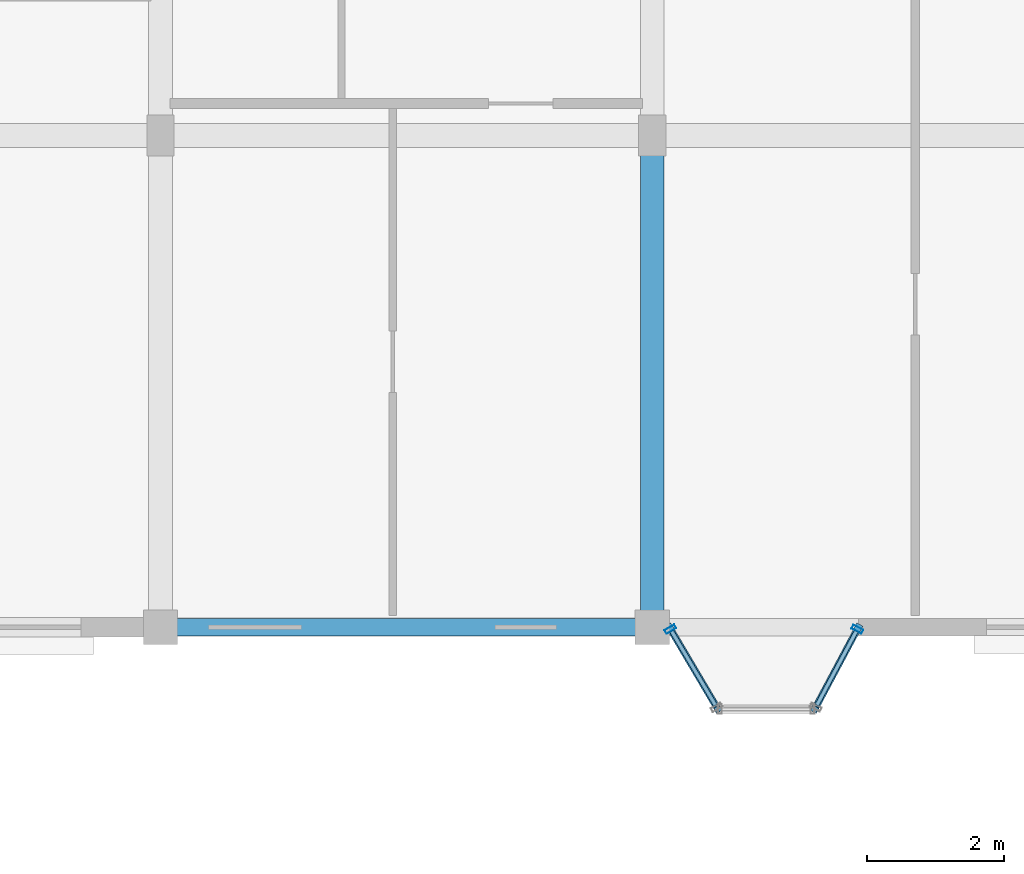
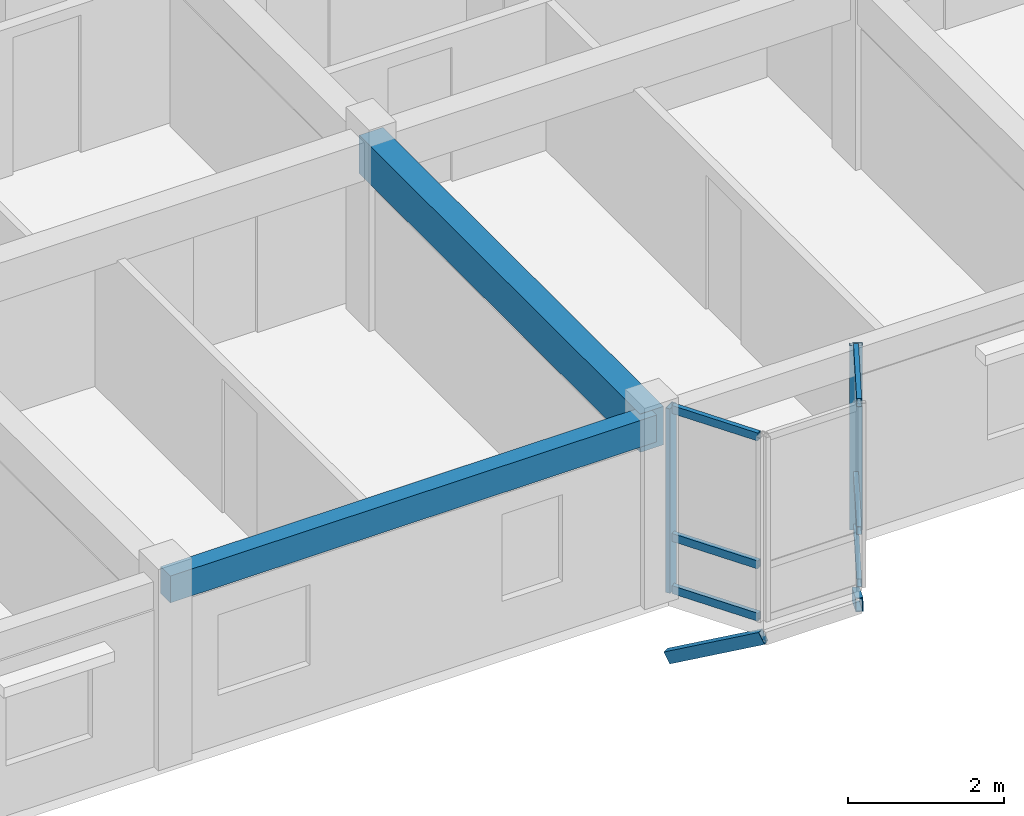
# One storey, part 36 of 70: 10 members, 2 beams, 2 elements without a shape of their own.
"""IFC4 building model written with IfcOpenShell, lengths in metres."""

from ifc_helpers import new_model, si_unit, direction, frame, origin, origin_2d, place, context, subcontext, project, spatial, rectangle, hollow_rectangle, extrude, material, layer, layer_set, material_profile, profile_set, type_object, element, aggregate, save


model = new_model("IFC4")

# Units and contexts
model_context = context("Model", 3, precision=1e-05, world=origin(), true_north=direction((0.0, 1.0)))
body_context = subcontext(model_context, "Body", "Model", "MODEL_VIEW")
ifc_project = project(units=[si_unit("LENGTHUNIT", "METRE"), si_unit("AREAUNIT", "SQUARE_METRE"), si_unit("VOLUMEUNIT", "CUBIC_METRE"), si_unit("PLANEANGLEUNIT", "RADIAN"), si_unit("MASSUNIT", "GRAM", prefix="KILO"), si_unit("THERMODYNAMICTEMPERATUREUNIT", "KELVIN"), si_unit("POWERUNIT", "WATT")], contexts=[model_context])

# Site, building, storey
site_placement = place(None, origin())
site = spatial("IfcSite", under=ifc_project, at=site_placement, CompositionType="ELEMENT")
building_placement = place(site_placement, origin())
building = spatial("IfcBuilding", under=site, at=building_placement, Name="Tavuni Mirador Residences", CompositionType="ELEMENT")
storey_placement = place(building_placement, frame((0.0, 0.0, 23.39990234375)))
storey = spatial("IfcBuildingStorey", under=building, at=storey_placement, Name="L07", CompositionType="ELEMENT", Elevation=23.39990234375)

# Beams
ifc_material_1 = material(Name="Precast concrete C40/50", Category="concrete")
ifc_material_profile_1 = material_profile(ifc_material_1, rectangle(XDim=0.35009765625, YDim=0.60009765625, at=origin_2d()), Name="PC 350x600", Category="concrete")
ifc_profile_set_1 = profile_set([ifc_material_profile_1], Name="Precast concrete C40/50")
beam_type_1 = type_object("IfcBeamType", Name="BT-B600", PredefinedType="BEAM", material=ifc_profile_set_1)
beam_1_placement = place(storey_placement, frame((46.800048828125, 144.0, 2.585205078125), z_axis=(0.0, 1.0, 0.0), x_axis=(-1.0, 0.0, 0.0)))
element("IfcBeam", 1, at=beam_1_placement, inside=storey, type_object=beam_type_1, Name="BMY-BLK-C-L07-05-00", PredefinedType="BEAM", context=body_context, shape_type="SweptSolid", body=[
    extrude(rectangle(XDim=0.35009765625, YDim=0.60009765625, at=origin_2d()), origin(), (0.0, 0.0, 1.0), 7.199951171875),
])
ifc_material_profile_2 = material_profile(ifc_material_1, rectangle(XDim=0.25, YDim=0.419921875, at=origin_2d()), Name="PC 250x420", Category="concrete")
ifc_profile_set_2 = profile_set([ifc_material_profile_2], Name="Precast concrete C40/50")
beam_type_2 = type_object("IfcBeamType", Name="BT-SP420", PredefinedType="SPANDREL", material=ifc_profile_set_2)
beam_2_placement = place(storey_placement, frame((39.60009765625, 144.0, 2.675048828125), z_axis=(1.0, 0.0, 0.0), x_axis=(0.0, 1.0, 0.0)))
element("IfcBeam", 2, at=beam_2_placement, inside=storey, type_object=beam_type_2, Name="BMX-BLK-C-L07-04-00", PredefinedType="SPANDREL", context=body_context, shape_type="SweptSolid", body=[
    extrude(rectangle(XDim=0.25, YDim=0.419921875, at=origin_2d()), origin(), (0.0, 0.0, 1.0), 7.199951171875),
])

# Curtain wall, member
ifc_material_2 = material(Name="Anodised aluminium", Category="aluminium")
ifc_layer_1 = layer(ifc_material_2, 0.14990234375, Name="Anodised aluminium", Category="aluminium")
ifc_layer_set_1 = layer_set([ifc_layer_1], Name="Anodised aluminium")
curtain_wall_type_1 = type_object("IfcCurtainWallType", Name="CWT-MIR-B", PredefinedType="NOTDEFINED", material=ifc_layer_set_1)
curtain_wall_1_placement = place(storey_placement, origin())
curtain_wall_1 = element("IfcCurtainWall", 3, at=curtain_wall_1_placement, inside=storey, type_object=curtain_wall_type_1, Name="CW-MIR-C-S3-L07-M1", PredefinedType="NOTDEFINED")
ifc_material_profile_3 = material_profile(ifc_material_2, hollow_rectangle(XDim=0.06494140625, YDim=0.1650390625, WallThickness=0.00439453125, at=origin_2d()), Name="ALU 65x165x4.5", Category="aluminium")
ifc_profile_set_3 = profile_set([ifc_material_profile_3], Name="Anodised aluminium")
member_type_1 = type_object("IfcMemberType", Name="CWM-165", PredefinedType="MULLION", material=ifc_profile_set_3)
member_1_placement = place(storey_placement, frame((47.066650390625, 143.971923828125, 0.0), z_axis=(0.0, 0.0, 1.0), x_axis=(0.509212491254, -0.860640830284, 0.0)))
member_1 = element("IfcMember", 4, at=member_1_placement, type_object=member_type_1, Name="CW-02 mullion 1", PredefinedType="MULLION", context=body_context, shape_type="SweptSolid", body=[
    extrude(hollow_rectangle(XDim=0.06494140625, YDim=0.1650390625, WallThickness=0.00439453125, at=origin_2d()), origin(), (0.0, 0.0, 1.0), 2.885009765625),
])

ifc_layer_2 = layer(ifc_material_2, 0.159912109375, Name="Anodised aluminium", Category="aluminium")
ifc_layer_set_2 = layer_set([ifc_layer_2], Name="Anodised aluminium")
curtain_wall_type_2 = type_object("IfcCurtainWallType", Name="CWT-MIR-D", PredefinedType="NOTDEFINED", material=ifc_layer_set_2)
curtain_wall_2_placement = place(storey_placement, origin())
curtain_wall_2 = element("IfcCurtainWall", 5, at=curtain_wall_2_placement, inside=storey, type_object=curtain_wall_type_2, Name="CW-MIR-C-S3-L07-M2", PredefinedType="NOTDEFINED")
member_2_placement = place(storey_placement, frame((49.8046875, 143.971435546875, 0.0), z_axis=(0.0, 0.0, 1.0), x_axis=(0.470588235296, 0.882352941175, 0.0)))
member_2 = element("IfcMember", 6, at=member_2_placement, type_object=member_type_1, Name="CW-04 mullion 2", PredefinedType="MULLION", context=body_context, shape_type="SweptSolid", body=[
    extrude(hollow_rectangle(XDim=0.06494140625, YDim=0.1650390625, WallThickness=0.00439453125, at=origin_2d()), origin(), (0.0, 0.0, 1.0), 2.885009765625),
])

# Member
ifc_material_profile_4 = material_profile(ifc_material_2, hollow_rectangle(XDim=0.06494140625, YDim=0.125, WallThickness=0.00439453125, at=origin_2d()), Name="ALU 65x125x4.5", Category="aluminium")
ifc_profile_set_4 = profile_set([ifc_material_profile_4], Name="Anodised aluminium")
member_type_2 = type_object("IfcMemberType", Name="CWT-125", PredefinedType="USERDEFINED", material=ifc_profile_set_4)
member_3_placement = place(storey_placement, frame((47.0830078125, 143.944091796875, 0.03271484375), z_axis=(0.509204147839, -0.860645766749, 0.0), x_axis=(0.860645766749, 0.509204147839, 0.0)))
member_3 = element("IfcMember", 7, at=member_3_placement, type_object=member_type_2, Name="CW-02 transom 1.1", ObjectType="TRANSOM", PredefinedType="USERDEFINED", context=body_context, shape_type="SweptSolid", body=[
    extrude(hollow_rectangle(XDim=0.06494140625, YDim=0.125, WallThickness=0.00439453125, at=origin_2d()), origin(), (0.0, 0.0, 1.0), 1.264404296875),
])

member_4_placement = place(storey_placement, frame((47.0830078125, 143.944091796875, 0.85009765625), z_axis=(0.509204147839, -0.860645766749, 0.0), x_axis=(0.860645766749, 0.509204147839, 0.0)))
member_4 = element("IfcMember", 8, at=member_4_placement, type_object=member_type_2, Name="CW-02 transom 1.2", ObjectType="TRANSOM", PredefinedType="USERDEFINED", context=body_context, shape_type="SweptSolid", body=[
    extrude(hollow_rectangle(XDim=0.06494140625, YDim=0.125, WallThickness=0.00439453125, at=origin_2d()), origin(), (0.0, 0.0, 1.0), 1.264404296875),
])

member_5_placement = place(storey_placement, frame((47.0830078125, 143.944091796875, 2.8525390625), z_axis=(0.509204147839, -0.860645766749, 0.0), x_axis=(0.860645766749, 0.509204147839, 0.0)))
member_5 = element("IfcMember", 9, at=member_5_placement, type_object=member_type_2, Name="CW-02 transom 1.3", ObjectType="TRANSOM", PredefinedType="USERDEFINED", context=body_context, shape_type="SweptSolid", body=[
    extrude(hollow_rectangle(XDim=0.06494140625, YDim=0.125, WallThickness=0.00439453125, at=origin_2d()), origin(), (0.0, 0.0, 1.0), 1.264404296875),
])

aggregate(curtain_wall_1, [member_1, member_3, member_4, member_5])

member_6_placement = place(storey_placement, frame((49.210693359375, 142.857421875, 0.03271484375), z_axis=(0.470485195601, 0.882407887952, 0.0), x_axis=(-0.882407887952, 0.470485195601, 0.0)))
member_6 = element("IfcMember", 10, at=member_6_placement, type_object=member_type_2, Name="CW-04 transom 1.1", ObjectType="TRANSOM", PredefinedType="USERDEFINED", context=body_context, shape_type="SweptSolid", body=[
    extrude(hollow_rectangle(XDim=0.06494140625, YDim=0.125, WallThickness=0.00439453125, at=origin_2d()), origin(), (0.0, 0.0, 1.0), 1.229736328125),
])

member_7_placement = place(storey_placement, frame((49.210693359375, 142.857421875, 0.85009765625), z_axis=(0.470485195601, 0.882407887952, 0.0), x_axis=(-0.882407887952, 0.470485195601, 0.0)))
member_7 = element("IfcMember", 11, at=member_7_placement, type_object=member_type_2, Name="CW-04 transom 1.2", ObjectType="TRANSOM", PredefinedType="USERDEFINED", context=body_context, shape_type="SweptSolid", body=[
    extrude(hollow_rectangle(XDim=0.06494140625, YDim=0.125, WallThickness=0.00439453125, at=origin_2d()), origin(), (0.0, 0.0, 1.0), 1.229736328125),
])

member_8_placement = place(storey_placement, frame((49.210693359375, 142.857421875, 2.8525390625), z_axis=(0.470485195601, 0.882407887952, 0.0), x_axis=(-0.882407887952, 0.470485195601, 0.0)))
member_8 = element("IfcMember", 12, at=member_8_placement, type_object=member_type_2, Name="CW-04 transom 1.3", ObjectType="TRANSOM", PredefinedType="USERDEFINED", context=body_context, shape_type="SweptSolid", body=[
    extrude(hollow_rectangle(XDim=0.06494140625, YDim=0.125, WallThickness=0.00439453125, at=origin_2d()), origin(), (0.0, 0.0, 1.0), 1.229736328125),
])

aggregate(curtain_wall_2, [member_2, member_6, member_7, member_8])

# Members
ifc_material_3 = material(Name="Structural steel S355", Category="steel")
ifc_material_profile_5 = material_profile(ifc_material_3, hollow_rectangle(XDim=0.10009765625, YDim=0.179931640625, WallThickness=0.008056640625, at=origin_2d()), Name="RHS 180x100x8.0", Category="steel")
ifc_profile_set_5 = profile_set([ifc_material_profile_5], Name="Structural steel S355")
member_type_3 = type_object("IfcMemberType", Name="MT-BR-RHS180", PredefinedType="BRACE", material=ifc_profile_set_5)
member_9_placement = place(storey_placement, frame((47.050048828125, 144.0, -1.0498046875), z_axis=(0.443724340816, -0.74996737796, 0.490568691789), x_axis=(0.860644027762, 0.509207087026, 0.0)))
element("IfcMember", 13, at=member_9_placement, inside=storey, type_object=member_type_3, Name="MBRK-MIR-C-S3-L07-1", PredefinedType="BRACE", context=body_context, shape_type="SweptSolid", body=[
    extrude(hollow_rectangle(XDim=0.10009765625, YDim=0.179931640625, WallThickness=0.008056640625, at=origin_2d()), origin(), (0.0, 0.0, 1.0), 1.60009765625),
])
member_10_placement = place(storey_placement, frame((49.820068359375, 144.0, -1.0498046875), z_axis=(-0.407660536563, -0.76416915988, 0.499858361956), x_axis=(0.882303244255, -0.470681405175, 0.0)))
element("IfcMember", 14, at=member_10_placement, inside=storey, type_object=member_type_3, Name="MBRK-MIR-C-S3-L07-2", PredefinedType="BRACE", context=body_context, shape_type="SweptSolid", body=[
    extrude(hollow_rectangle(XDim=0.10009765625, YDim=0.179931640625, WallThickness=0.008056640625, at=origin_2d()), origin(), (0.0, 0.0, 1.0), 1.5703125),
])

save(model, "model.ifc")
